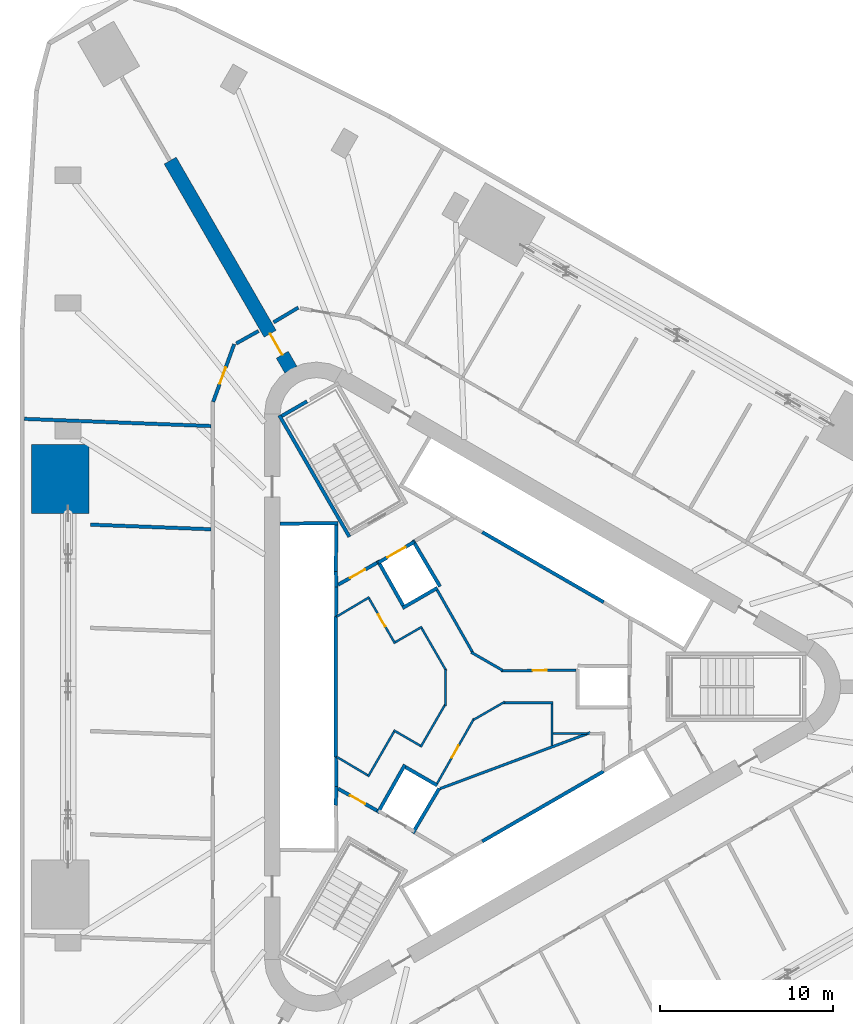
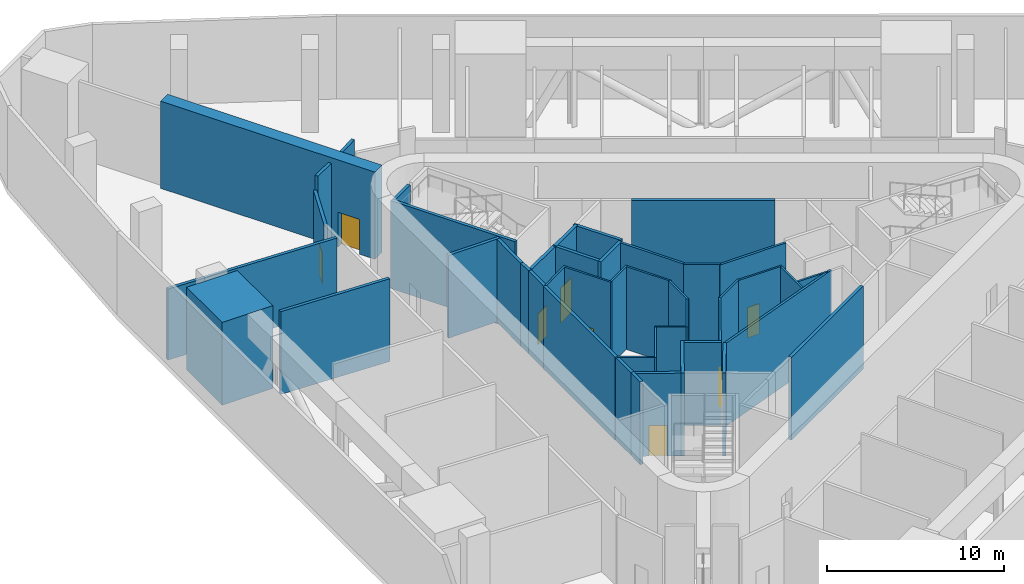
# One storey, part 8 of 14: 45 walls, 8 doors, 8 openings.
"""IFC4 building model written with IfcOpenShell, lengths in metres."""

from ifc_helpers import new_model, si_unit, direction, frame, frame_2d, origin, place, context, subcontext, project, spatial, polyline, rectangle, outline, extrude, material, layer, layer_set, type_object, element, fill, save


model = new_model("IFC4")

# Units and contexts
model_context = context("Model", 3, precision=1e-05, world=origin(), true_north=direction((0.0, 1.0)))
body_context = subcontext(model_context, "Body", "Model", "MODEL_VIEW")
ifc_project = project(units=[si_unit("LENGTHUNIT", "METRE"), si_unit("AREAUNIT", "SQUARE_METRE"), si_unit("VOLUMEUNIT", "CUBIC_METRE"), si_unit("PLANEANGLEUNIT", "RADIAN"), si_unit("MASSUNIT", "GRAM", prefix="KILO")], contexts=[model_context])

# Site, building, storey
site_placement = place(None, origin())
site = spatial("IfcSite", under=ifc_project, at=site_placement, CompositionType="ELEMENT")
building_placement = place(site_placement, origin())
building = spatial("IfcBuilding", under=site, at=building_placement, Name="Tanit Gate Tower", CompositionType="ELEMENT")
storey_placement = place(building_placement, frame((0.0, 0.0, 39.5)))
storey = spatial("IfcBuildingStorey", under=building, at=storey_placement, Name="L06", CompositionType="ELEMENT", Elevation=39.5)

# Wall, opening, door
ifc_material_1 = material(Name="Concrete C60/75", Category="concrete")
ifc_layer_1 = layer(ifc_material_1, 0.800048828125)
ifc_layer_set_1 = layer_set([ifc_layer_1], Name="BUTTRESS FIN 800 C60/75")
wall_type_1 = type_object("IfcWallType", Name="BUTTRESS FIN 800 C60/75", PredefinedType="SHEAR", material=ifc_layer_set_1)
wall_1_placement = place(storey_placement, frame((-10.574951171875, 18.31640625, 0.0), z_axis=(0.0, 0.0, 1.0), x_axis=(-0.499996575515, 0.866027380903, 0.0)))
wall_1 = element("IfcWall", 1, at=wall_1_placement, inside=storey, type_object=wall_type_1, Name="BUTTRESS FIN", PredefinedType="SHEAR", context=body_context, shape_type="SweptSolid", body=[
    extrude(rectangle(XDim=13.9541015625, YDim=0.800048828125, at=frame_2d((6.97705078125, 0.0))), origin(), (0.0, 0.0, 1.0), 6.0),
])
opening_1_placement = place(wall_1_placement, frame((1.0, 0.0, 0.0)))
opening_1 = element("IfcOpeningElement", 2, at=opening_1_placement, cuts=wall_1, Name="Opening P14-06-F-NW-1", PredefinedType="OPENING", context=body_context, shape_type="SweptSolid", body=[
    extrude(rectangle(XDim=1.39990234375, YDim=2.39990234375, at=frame_2d((0.699951171875, 1.199951171875))), frame((0.0, 0.41015625, 0.0), z_axis=(0.0, -1.0, 0.0), x_axis=(1.0, 0.0, 0.0)), (0.0, 0.0, 1.0), 0.820068359375),
])
ifc_material_2 = material(Name="Timber door leaf", Category="wood")
door_type_1 = type_object("IfcDoorType", Name="INT-DOOR-FIN-PAIR-1400", OperationType="NOTDEFINED", PredefinedType="NOTDEFINED", material=ifc_material_2)
door_1_placement = place(opening_1_placement, origin())
door_1 = element("IfcDoor", 3, at=door_1_placement, inside=storey, type_object=door_type_1, Name="Door P14-06-F-NW-1", OperationType="DOUBLE_DOOR_SINGLE_SWING", OverallHeight=2.39990234375, OverallWidth=1.39990234375, PredefinedType="NOTDEFINED", context=body_context, shape_type="SweptSolid", body=[
    extrude(rectangle(XDim=1.39990234375, YDim=2.39990234375, at=frame_2d((0.699951171875, 1.199951171875))), frame((0.0, 0.02490234375, 0.0), z_axis=(0.0, -1.0, 0.0), x_axis=(1.0, 0.0, 0.0)), (0.0, 0.0, 1.0), 0.050048828125),
])
fill(opening_1, door_1)

ifc_material_3 = material(Name="Fire-rated gypsum board partition")
ifc_layer_2 = layer(ifc_material_3, 0.199951171875)
ifc_layer_set_2 = layer_set([ifc_layer_2], Name="INT-WALL-COMPARTMENT")
wall_type_2 = type_object("IfcWallType", Name="INT-WALL-COMPARTMENT", PredefinedType="PARTITIONING", material=ifc_layer_set_2)
wall_2_placement = place(storey_placement, frame((-5.600341796875, 7.16015625, 0.0), z_axis=(0.0, 0.0, 1.0), x_axis=(-0.871363259478, -0.490638431059, 0.0)))
wall_2 = element("IfcWall", 4, at=wall_2_placement, inside=storey, type_object=wall_type_2, Name="Wall Compartment W065", PredefinedType="PARTITIONING", context=body_context, shape_type="SweptSolid", body=[
    extrude(rectangle(XDim=2.5810546875, YDim=0.199951171875, at=frame_2d((1.29052734375, 0.0))), origin(), (0.0, 0.0, 1.0), 5.699951171875),
])
opening_2_placement = place(wall_2_placement, frame((0.79052734375, 0.0, 0.0)))
opening_2 = element("IfcOpeningElement", 5, at=opening_2_placement, cuts=wall_2, Name="Opening F10-06-05", PredefinedType="OPENING", context=body_context, shape_type="SweptSolid", body=[
    extrude(rectangle(XDim=1.0, YDim=2.10009765625, at=frame_2d((0.5, 1.050048828125))), frame((0.0, 0.10986328125, 0.0), z_axis=(0.0, -1.0, 0.0), x_axis=(1.0, 0.0, 0.0)), (0.0, 0.0, 1.0), 0.219970703125),
])
ifc_material_4 = material(Name="Fire-rated steel door leaf", Category="steel")
door_type_2 = type_object("IfcDoorType", Name="INT-DOOR-FIRE-1000", OperationType="NOTDEFINED", PredefinedType="USERDEFINED", material=ifc_material_4)
door_2_placement = place(opening_2_placement, origin())
door_2 = element("IfcDoor", 6, at=door_2_placement, inside=storey, type_object=door_type_2, Name="Door F10-06-05", ObjectType="FIRE DOOR", OperationType="SINGLE_SWING_LEFT", OverallHeight=2.10009765625, OverallWidth=1.0, PredefinedType="USERDEFINED", context=body_context, shape_type="SweptSolid", body=[
    extrude(rectangle(XDim=1.0, YDim=2.10009765625, at=frame_2d((0.5, 1.050048828125))), frame((0.0, 0.02490234375, 0.0), z_axis=(0.0, -1.0, 0.0), x_axis=(1.0, 0.0, 0.0)), (0.0, 0.0, 1.0), 0.050048828125),
])
fill(opening_2, door_2)

wall_3_placement = place(storey_placement, frame((-7.849365234375, -5.893798828125, 0.0), z_axis=(0.0, 0.0, 1.0), x_axis=(0.871363259478, -0.490638431059, 0.0)))
wall_3 = element("IfcWall", 7, at=wall_3_placement, inside=storey, type_object=wall_type_2, Name="Wall Compartment W067", PredefinedType="PARTITIONING", context=body_context, shape_type="SweptSolid", body=[
    extrude(rectangle(XDim=2.5810546875, YDim=0.199951171875, at=frame_2d((1.29052734375, 0.0))), origin(), (0.0, 0.0, 1.0), 5.699951171875),
])
opening_3_placement = place(wall_3_placement, frame((0.79052734375, 0.0, 0.0)))
opening_3 = element("IfcOpeningElement", 8, at=opening_3_placement, cuts=wall_3, Name="Opening F10-06-08", PredefinedType="OPENING", context=body_context, shape_type="SweptSolid", body=[
    extrude(rectangle(XDim=1.0, YDim=2.10009765625, at=frame_2d((0.5, 1.050048828125))), frame((0.0, 0.10986328125, 0.0), z_axis=(0.0, -1.0, 0.0), x_axis=(1.0, 0.0, 0.0)), (0.0, 0.0, 1.0), 0.219970703125),
])
door_3_placement = place(opening_3_placement, origin())
door_3 = element("IfcDoor", 9, at=door_3_placement, inside=storey, type_object=door_type_2, Name="Door F10-06-08", ObjectType="FIRE DOOR", OperationType="SINGLE_SWING_RIGHT", OverallHeight=2.10009765625, OverallWidth=1.0, PredefinedType="USERDEFINED", context=body_context, shape_type="SweptSolid", body=[
    extrude(rectangle(XDim=1.0, YDim=2.10009765625, at=frame_2d((0.5, 1.050048828125))), frame((0.0, 0.02490234375, 0.0), z_axis=(0.0, -1.0, 0.0), x_axis=(1.0, 0.0, 0.0)), (0.0, 0.0, 1.0), 0.050048828125),
])
fill(opening_3, door_3)

wall_4_placement = place(storey_placement, frame((-13.853271484375, 19.795654296875, 0.0), z_axis=(0.0, 0.0, 1.0), x_axis=(-0.342013954414, -0.939694873342, 0.0)))
wall_4 = element("IfcWall", 10, at=wall_4_placement, inside=storey, type_object=wall_type_2, Name="Wall Compartment W089", PredefinedType="PARTITIONING", context=body_context, shape_type="SweptSolid", body=[
    extrude(rectangle(XDim=3.545654296875, YDim=0.199951171875, at=frame_2d((1.77294921875, 0.0))), origin(), (0.0, 0.0, 1.0), 4.780029296875),
])
opening_4_placement = place(wall_4_placement, frame((1.437255859375, 0.0, 0.0)))
opening_4 = element("IfcOpeningElement", 11, at=opening_4_placement, cuts=wall_4, Name="Opening F10-06-15", PredefinedType="OPENING", context=body_context, shape_type="SweptSolid", body=[
    extrude(rectangle(XDim=1.0, YDim=2.10009765625, at=frame_2d((0.5, 1.050048828125))), frame((0.0, 0.10986328125, 0.0), z_axis=(0.0, -1.0, 0.0), x_axis=(1.0, 0.0, 0.0)), (0.0, 0.0, 1.0), 0.219970703125),
])
door_4_placement = place(opening_4_placement, origin())
door_4 = element("IfcDoor", 12, at=door_4_placement, inside=storey, type_object=door_type_2, Name="Door F10-06-15", ObjectType="FIRE DOOR", OperationType="SINGLE_SWING_RIGHT", OverallHeight=2.10009765625, OverallWidth=1.0, PredefinedType="USERDEFINED", context=body_context, shape_type="SweptSolid", body=[
    extrude(rectangle(XDim=1.0, YDim=2.10009765625, at=frame_2d((0.5, 1.050048828125))), frame((0.0, 0.02490234375, 0.0), z_axis=(0.0, -1.0, 0.0), x_axis=(1.0, 0.0, 0.0)), (0.0, 0.0, 1.0), 0.050048828125),
])
fill(opening_4, door_4)

# Walls
wall_5_placement = place(storey_placement, frame((-12.444580078125, 20.5546875, 0.0), z_axis=(0.0, 0.0, 1.0), x_axis=(-0.873030545865, -0.487665526757, 0.0)))
element("IfcWall", 13, at=wall_5_placement, inside=storey, type_object=wall_type_2, Name="Wall Compartment W090", PredefinedType="PARTITIONING", context=body_context, shape_type="SweptSolid", body=[
    extrude(rectangle(XDim=1.474853515625, YDim=0.199951171875, at=frame_2d((0.7373046875, 0.0))), origin(), (0.0, 0.0, 1.0), 5.699951171875),
])
wall_6_placement = place(storey_placement, frame((-25.984375, 15.47705078125, 0.0), z_axis=(0.0, 0.0, 1.0), x_axis=(0.999262877785, -0.038388814516, 0.0)))
element("IfcWall", 14, at=wall_6_placement, inside=storey, type_object=wall_type_2, Name="Wall Compartment W099", PredefinedType="PARTITIONING", context=body_context, shape_type="SweptSolid", body=[
    extrude(rectangle(XDim=10.79248046875, YDim=0.199951171875, at=frame_2d((5.396240234375, 0.0))), origin(), (0.0, 0.0, 1.0), 4.8798828125),
])
wall_7_placement = place(storey_placement, frame((-22.1533203125, 9.364990234375, 0.0), z_axis=(0.0, 0.0, 1.0), x_axis=(0.999263090898, -0.03838326679, 0.0)))
element("IfcWall", 15, at=wall_7_placement, inside=storey, type_object=wall_type_2, Name="Wall Compartment W102", PredefinedType="PARTITIONING", context=body_context, shape_type="SweptSolid", body=[
    extrude(rectangle(XDim=6.95849609375, YDim=0.199951171875, at=frame_2d((3.479248046875, 0.0))), origin(), (0.0, 0.0, 1.0), 5.699951171875),
])
wall_8_placement = place(storey_placement, frame((-10.1484375, 21.90771484375, 0.0), z_axis=(0.0, 0.0, 1.0), x_axis=(-0.858835346978, -0.512251741608, 0.0)))
element("IfcWall", 16, at=wall_8_placement, inside=storey, type_object=wall_type_2, Name="Wall Compartment W109", PredefinedType="PARTITIONING", context=body_context, shape_type="SweptSolid", body=[
    extrude(rectangle(XDim=1.665283203125, YDim=0.199951171875, at=frame_2d((0.83251953125, 0.0))), origin(), (0.0, 0.0, 1.0), 5.699951171875),
])

# Wall, opening, door
ifc_material_5 = material(Name="Gypsum board partition")
ifc_layer_3 = layer(ifc_material_5, 0.1201171875)
ifc_layer_set_3 = layer_set([ifc_layer_3], Name="INT-WALL-PARTITION")
wall_type_3 = type_object("IfcWallType", Name="INT-WALL-PARTITION", PredefinedType="PARTITIONING", material=ifc_layer_set_3)
wall_9_placement = place(storey_placement, frame((0.00732421875, -1.8359375, 0.0), z_axis=(0.0, 0.0, 1.0), x_axis=(-0.494077470797, -0.869417881603, 0.0)))
wall_9 = element("IfcWall", 17, at=wall_9_placement, inside=storey, type_object=wall_type_3, Name="Wall Partition W072", PredefinedType="PARTITIONING", context=body_context, shape_type="SweptSolid", body=[
    extrude(rectangle(XDim=4.313720703125, YDim=0.1201171875, at=frame_2d((2.15673828125, 0.0))), origin(), (0.0, 0.0, 1.0), 5.699951171875),
])
opening_5_placement = place(wall_9_placement, frame((1.80810546875, 0.0, 0.0)))
opening_5 = element("IfcOpeningElement", 18, at=opening_5_placement, cuts=wall_9, Name="Opening R08-06-11", PredefinedType="OPENING", context=body_context, shape_type="SweptSolid", body=[
    extrude(rectangle(XDim=0.800048828125, YDim=2.10009765625, at=frame_2d((0.39990234375, 1.050048828125))), frame((0.0, 0.070068359375, 0.0), z_axis=(0.0, -1.0, 0.0), x_axis=(1.0, 0.0, 0.0)), (0.0, 0.0, 1.0), 0.14013671875),
])
ifc_material_6 = material(Name="Timber door leaf", Category="wood")
door_type_3 = type_object("IfcDoorType", Name="INT-DOOR-RISER-800", OperationType="NOTDEFINED", PredefinedType="USERDEFINED", material=ifc_material_6)
door_5_placement = place(opening_5_placement, origin())
door_5 = element("IfcDoor", 19, at=door_5_placement, inside=storey, type_object=door_type_3, Name="Door R08-06-11", ObjectType="FIRE DOOR", OperationType="SINGLE_SWING_LEFT", OverallHeight=2.10009765625, OverallWidth=0.800048828125, PredefinedType="USERDEFINED", context=body_context, shape_type="SweptSolid", body=[
    extrude(rectangle(XDim=0.800048828125, YDim=2.10009765625, at=frame_2d((0.39990234375, 1.050048828125))), frame((0.0, 0.02490234375, 0.0), z_axis=(0.0, -1.0, 0.0), x_axis=(1.0, 0.0, 0.0)), (0.0, 0.0, 1.0), 0.050048828125),
])
fill(opening_5, door_5)

# Walls
wall_10_placement = place(storey_placement, frame((1.77880859375, -0.873046875, 0.0), z_axis=(0.0, 0.0, 1.0), x_axis=(-0.866029591389, -0.499992746786, 0.0)))
element("IfcWall", 20, at=wall_10_placement, inside=storey, type_object=wall_type_3, Name="Wall Partition W073", PredefinedType="PARTITIONING", context=body_context, shape_type="SweptSolid", body=[
    extrude(rectangle(XDim=2.0849609375, YDim=0.1201171875, at=frame_2d((1.04248046875, 0.0))), origin(), (0.0, 0.0, 1.0), 5.699951171875),
])
wall_11_placement = place(storey_placement, frame((4.56005859375, -0.925048828125, 0.0), z_axis=(0.0, 0.0, 1.0), x_axis=(-1.0, 0.0, 0.0)))
element("IfcWall", 21, at=wall_11_placement, inside=storey, type_object=wall_type_3, Name="Wall Partition W074", PredefinedType="PARTITIONING", context=body_context, shape_type="SweptSolid", body=[
    extrude(rectangle(XDim=2.852783203125, YDim=0.1201171875, at=frame_2d((1.42626953125, 0.0))), origin(), (0.0, 0.0, 1.0), 5.699951171875),
])
wall_12_placement = place(storey_placement, frame((4.5, -3.402099609375, 0.0), z_axis=(0.0, 0.0, 1.0), x_axis=(0.0, 1.0, 0.0)))
element("IfcWall", 22, at=wall_12_placement, inside=storey, type_object=wall_type_3, Name="Wall Partition W075", PredefinedType="PARTITIONING", context=body_context, shape_type="SweptSolid", body=[
    extrude(rectangle(XDim=2.4169921875, YDim=0.1201171875, at=frame_2d((1.20849609375, 0.0))), origin(), (0.0, 0.0, 1.0), 5.699951171875),
])
wall_13_placement = place(storey_placement, frame((6.521240234375, -2.699951171875, 0.0), z_axis=(0.0, 0.0, 1.0), x_axis=(-1.0, 0.0, 0.0)))
element("IfcWall", 23, at=wall_13_placement, inside=storey, type_object=wall_type_3, Name="Wall Partition W076", PredefinedType="PARTITIONING", context=body_context, shape_type="SweptSolid", body=[
    extrude(rectangle(XDim=1.961181640625, YDim=0.1201171875, at=frame_2d((0.98046875, 0.0))), origin(), (0.0, 0.0, 1.0), 5.699951171875),
])
wall_14_placement = place(storey_placement, frame((-6.03662109375, 5.17578125, 0.0), z_axis=(0.0, 0.0, 1.0), x_axis=(-0.860106072674, -0.510115225953, 0.0)))
element("IfcWall", 24, at=wall_14_placement, inside=storey, type_object=wall_type_3, Name="Wall Partition W079", PredefinedType="PARTITIONING", context=body_context, shape_type="SweptSolid", body=[
    extrude(rectangle(XDim=2.224609375, YDim=0.1201171875, at=frame_2d((1.1123046875, 0.0))), origin(), (0.0, 0.0, 1.0), 5.699951171875),
])

# Wall, opening, door
wall_15_placement = place(storey_placement, frame((-4.558349609375, 2.4951171875, 0.0), z_axis=(0.0, 0.0, 1.0), x_axis=(-0.499990139034, 0.866031096941, 0.0)))
wall_15 = element("IfcWall", 25, at=wall_15_placement, inside=storey, type_object=wall_type_3, Name="Wall Partition W080", PredefinedType="PARTITIONING", context=body_context, shape_type="SweptSolid", body=[
    extrude(rectangle(XDim=3.0, YDim=0.1201171875, at=frame_2d((1.5, 0.0))), origin(), (0.0, 0.0, 1.0), 5.699951171875),
])
opening_6_placement = place(wall_15_placement, frame((1.1298828125, 0.0, 0.0)))
opening_6 = element("IfcOpeningElement", 26, at=opening_6_placement, cuts=wall_15, Name="Opening R08-06-13", PredefinedType="OPENING", context=body_context, shape_type="SweptSolid", body=[
    extrude(rectangle(XDim=0.800048828125, YDim=2.10009765625, at=frame_2d((0.39990234375, 1.050048828125))), frame((0.0, 0.070068359375, 0.0), z_axis=(0.0, -1.0, 0.0), x_axis=(1.0, 0.0, 0.0)), (0.0, 0.0, 1.0), 0.14013671875),
])
door_6_placement = place(opening_6_placement, origin())
door_6 = element("IfcDoor", 27, at=door_6_placement, inside=storey, type_object=door_type_3, Name="Door R08-06-13", ObjectType="FIRE DOOR", OperationType="SINGLE_SWING_RIGHT", OverallHeight=2.10009765625, OverallWidth=0.800048828125, PredefinedType="USERDEFINED", context=body_context, shape_type="SweptSolid", body=[
    extrude(rectangle(XDim=0.800048828125, YDim=2.10009765625, at=frame_2d((0.39990234375, 1.050048828125))), frame((0.0, 0.02490234375, 0.0), z_axis=(0.0, -1.0, 0.0), x_axis=(1.0, 0.0, 0.0)), (0.0, 0.0, 1.0), 0.050048828125),
])
fill(opening_6, door_6)

# Walls
wall_16_placement = place(storey_placement, frame((-2.9990234375, 3.464599609375, 0.0), z_axis=(0.0, 0.0, 1.0), x_axis=(-0.866059624469, -0.499940723351, 0.0)))
element("IfcWall", 28, at=wall_16_placement, inside=storey, type_object=wall_type_3, Name="Wall Partition W081", PredefinedType="PARTITIONING", context=body_context, shape_type="SweptSolid", body=[
    extrude(rectangle(XDim=1.775146484375, YDim=0.1201171875, at=frame_2d((0.8876953125, 0.0))), origin(), (0.0, 0.0, 1.0), 5.699951171875),
])
wall_17_placement = place(storey_placement, frame((-1.593505859375, 0.909912109375, 0.0), z_axis=(0.0, 0.0, 1.0), x_axis=(-0.49997412077, 0.866040344649, 0.0)))
element("IfcWall", 29, at=wall_17_placement, inside=storey, type_object=wall_type_3, Name="Wall Partition W082", PredefinedType="PARTITIONING", context=body_context, shape_type="SweptSolid", body=[
    extrude(rectangle(XDim=2.855224609375, YDim=0.1201171875, at=frame_2d((1.427734375, 0.0))), origin(), (0.0, 0.0, 1.0), 5.699951171875),
])
wall_18_placement = place(storey_placement, frame((-1.6455078125, -1.10400390625, 0.0), z_axis=(0.0, 0.0, 1.0), x_axis=(0.0, 1.0, 0.0)))
element("IfcWall", 30, at=wall_18_placement, inside=storey, type_object=wall_type_3, Name="Wall Partition W083", PredefinedType="PARTITIONING", context=body_context, shape_type="SweptSolid", body=[
    extrude(rectangle(XDim=2.08544921875, YDim=0.1201171875, at=frame_2d((1.042724609375, 0.0))), origin(), (0.0, 0.0, 1.0), 5.699951171875),
])
wall_19_placement = place(storey_placement, frame((-3.0810546875, -3.486572265625, 0.0), z_axis=(0.0, 0.0, 1.0), x_axis=(0.499986688891, 0.86603308882, 0.0)))
element("IfcWall", 31, at=wall_19_placement, inside=storey, type_object=wall_type_3, Name="Wall Partition W084", PredefinedType="PARTITIONING", context=body_context, shape_type="SweptSolid", body=[
    extrude(rectangle(XDim=2.8525390625, YDim=0.1201171875, at=frame_2d((1.42626953125, 0.0))), origin(), (0.0, 0.0, 1.0), 5.699951171875),
])
wall_20_placement = place(storey_placement, frame((-4.64013671875, -2.51708984375, 0.0), z_axis=(0.0, 0.0, 1.0), x_axis=(0.866025242659, -0.500000279077, 0.0)))
element("IfcWall", 32, at=wall_20_placement, inside=storey, type_object=wall_type_3, Name="Wall Partition W085", PredefinedType="PARTITIONING", context=body_context, shape_type="SweptSolid", body=[
    extrude(rectangle(XDim=1.77490234375, YDim=0.1201171875, at=frame_2d((0.887451171875, 0.0))), origin(), (0.0, 0.0, 1.0), 5.699951171875),
])
wall_21_placement = place(storey_placement, frame((-6.1181640625, -5.197265625, 0.0), z_axis=(0.0, 0.0, 1.0), x_axis=(0.499990139034, 0.866031096941, 0.0)))
element("IfcWall", 33, at=wall_21_placement, inside=storey, type_object=wall_type_3, Name="Wall Partition W086", PredefinedType="PARTITIONING", context=body_context, shape_type="SweptSolid", body=[
    extrude(rectangle(XDim=3.0, YDim=0.1201171875, at=frame_2d((1.5, 0.0))), origin(), (0.0, 0.0, 1.0), 5.699951171875),
])
wall_22_placement = place(storey_placement, frame((-7.949951171875, -4.041015625, 0.0), z_axis=(0.0, 0.0, 1.0), x_axis=(0.860112457103, -0.510104461004, 0.0)))
element("IfcWall", 34, at=wall_22_placement, inside=storey, type_object=wall_type_3, Name="Wall Partition W087", PredefinedType="PARTITIONING", context=body_context, shape_type="SweptSolid", body=[
    extrude(rectangle(XDim=2.1044921875, YDim=0.1201171875, at=frame_2d((1.05224609375, 0.0))), origin(), (0.0, 0.0, 1.0), 5.699951171875),
])

# Wall, opening, door
ifc_material_7 = material(Name="Fire-rated gypsum board partition")
ifc_layer_4 = layer(ifc_material_7, 0.14990234375)
ifc_layer_set_4 = layer_set([ifc_layer_4], Name="INT-WALL-RISER")
wall_type_4 = type_object("IfcWallType", Name="INT-WALL-RISER", PredefinedType="PLUMBINGWALL", material=ifc_layer_set_4)
wall_23_placement = place(storey_placement, frame((1.560791015625, 0.924072265625, 0.0), z_axis=(0.0, 0.0, 1.0), x_axis=(0.999976441218, 0.006864183077, 0.0)))
wall_23 = element("IfcWall", 35, at=wall_23_placement, inside=storey, type_object=wall_type_4, Name="Wall Riser W068", PredefinedType="PLUMBINGWALL", context=body_context, shape_type="SweptSolid", body=[
    extrude(rectangle(XDim=4.339111328125, YDim=0.14990234375, at=frame_2d((2.16943359375, 0.0))), origin(), (0.0, 0.0, 1.0), 5.699951171875),
])
opening_7_placement = place(wall_23_placement, frame((1.83349609375, 0.0, 0.0)))
opening_7 = element("IfcOpeningElement", 36, at=opening_7_placement, cuts=wall_23, Name="Opening R08-06-10", PredefinedType="OPENING", context=body_context, shape_type="SweptSolid", body=[
    extrude(rectangle(XDim=0.800048828125, YDim=2.10009765625, at=frame_2d((0.39990234375, 1.050048828125))), frame((0.0, 0.0849609375, 0.0), z_axis=(0.0, -1.0, 0.0), x_axis=(1.0, 0.0, 0.0)), (0.0, 0.0, 1.0), 0.169921875),
])
door_7_placement = place(opening_7_placement, origin())
door_7 = element("IfcDoor", 37, at=door_7_placement, inside=storey, type_object=door_type_3, Name="Door R08-06-10", ObjectType="FIRE DOOR", OperationType="SINGLE_SWING_LEFT", OverallHeight=2.10009765625, OverallWidth=0.800048828125, PredefinedType="USERDEFINED", context=body_context, shape_type="SweptSolid", body=[
    extrude(rectangle(XDim=0.800048828125, YDim=2.10009765625, at=frame_2d((0.39990234375, 1.050048828125))), frame((0.0, 0.02490234375, 0.0), z_axis=(0.0, -1.0, 0.0), x_axis=(1.0, 0.0, 0.0)), (0.0, 0.0, 1.0), 0.050048828125),
])
fill(opening_7, door_7)

# Walls
wall_24_placement = place(storey_placement, frame((-0.154052734375, 1.989013671875, 0.0), z_axis=(0.0, 0.0, 1.0), x_axis=(0.865992365033, -0.50005722043, 0.0)))
element("IfcWall", 38, at=wall_24_placement, inside=storey, type_object=wall_type_4, Name="Wall Riser W069", PredefinedType="PLUMBINGWALL", context=body_context, shape_type="SweptSolid", body=[
    extrude(rectangle(XDim=2.104248046875, YDim=0.14990234375, at=frame_2d((1.05224609375, 0.0))), origin(), (0.0, 0.0, 1.0), 5.699951171875),
])
wall_25_placement = place(storey_placement, frame((-2.1240234375, 5.58642578125, 0.0), z_axis=(0.0, 0.0, 1.0), x_axis=(0.494084527552, -0.869413871314, 0.0)))
element("IfcWall", 39, at=wall_25_placement, inside=storey, type_object=wall_type_4, Name="Wall Riser W070", PredefinedType="PLUMBINGWALL", context=body_context, shape_type="SweptSolid", body=[
    extrude(rectangle(XDim=4.187744140625, YDim=0.14990234375, at=frame_2d((2.09375, 0.0))), origin(), (0.0, 0.0, 1.0), 5.699951171875),
])
wall_26_placement = place(storey_placement, frame((6.729248046875, -2.650390625, 0.0), z_axis=(0.0, 0.0, 1.0), x_axis=(-0.936914282609, -0.349559189613, 0.0)))
element("IfcWall", 40, at=wall_26_placement, inside=storey, type_object=wall_type_4, Name="Wall Riser W071", PredefinedType="PLUMBINGWALL", context=body_context, shape_type="SweptSolid", body=[
    extrude(rectangle(XDim=9.29052734375, YDim=0.14990234375, at=frame_2d((4.645263671875, 0.0))), origin(), (0.0, 0.0, 1.0), 5.699951171875),
])
ifc_material_8 = material(Name="Gypsum shaft wall system")
ifc_layer_5 = layer(ifc_material_8, 0.199951171875)
ifc_layer_set_5 = layer_set([ifc_layer_5], Name="INT-WALL-SHAFT")
wall_type_5 = type_object("IfcWallType", Name="INT-WALL-SHAFT", PredefinedType="PLUMBINGWALL", material=ifc_layer_set_5)
wall_27_placement = place(storey_placement, frame((-11.199951171875, 9.419921875, 0.0), z_axis=(0.0, 0.0, 1.0), x_axis=(0.999957167047, 0.009255488683, 0.0)))
element("IfcWall", 41, at=wall_27_placement, inside=storey, type_object=wall_type_5, Name="Wall Shaft W001", PredefinedType="PLUMBINGWALL", context=body_context, shape_type="SweptSolid", body=[
    extrude(rectangle(XDim=3.35009765625, YDim=0.199951171875, at=frame_2d((1.675048828125, 0.0))), origin(), (0.0, 0.0, 1.0), 5.699951171875),
])
wall_28_placement = place(storey_placement, frame((-7.951171875, 9.35009765625, 0.0), z_axis=(0.0, 0.0, 1.0), x_axis=(-0.011120469654, -0.999938165666, 0.0)))
element("IfcWall", 42, at=wall_28_placement, inside=storey, type_object=wall_type_5, Name="Wall Shaft W002", PredefinedType="PLUMBINGWALL", context=body_context, shape_type="SweptSolid", body=[
    extrude(rectangle(XDim=2.700439453125, YDim=0.199951171875, at=frame_2d((1.35009765625, 0.0))), origin(), (0.0, 0.0, 1.0), 5.699951171875),
])
wall_29_placement = place(storey_placement, frame((7.497314453125, 4.885986328125, 0.0), z_axis=(0.0, 0.0, 1.0), x_axis=(-0.866030989016, 0.499990325971, 0.0)))
element("IfcWall", 43, at=wall_29_placement, inside=storey, type_object=wall_type_5, Name="Wall Shaft W003", PredefinedType="PLUMBINGWALL", context=body_context, shape_type="SweptSolid", body=[
    extrude(rectangle(XDim=8.099853515625, YDim=0.199951171875, at=frame_2d((4.0498046875, 0.0))), origin(), (0.0, 0.0, 1.0), 5.699951171875),
])
wall_30_placement = place(storey_placement, frame((-7.97705078125, 6.650146484375, 0.0), z_axis=(0.0, 0.0, 1.0), x_axis=(0.030861509705, -0.999523670164, 0.0)))
element("IfcWall", 44, at=wall_30_placement, inside=storey, type_object=wall_type_5, Name="Wall Shaft W004", PredefinedType="PLUMBINGWALL", context=body_context, shape_type="SweptSolid", body=[
    extrude(rectangle(XDim=0.878173828125, YDim=0.199951171875, at=frame_2d((0.43896484375, 0.0))), origin(), (0.0, 0.0, 1.0), 5.699951171875),
])
wall_31_placement = place(storey_placement, frame((-7.94921875, 5.894775390625, 0.0), z_axis=(0.0, 0.0, 1.0), x_axis=(-0.012042535896, -0.999927486035, 0.0)))
element("IfcWall", 45, at=wall_31_placement, inside=storey, type_object=wall_type_5, Name="Wall Shaft W005", PredefinedType="PLUMBINGWALL", context=body_context, shape_type="SweptSolid", body=[
    extrude(rectangle(XDim=1.844970703125, YDim=0.199951171875, at=frame_2d((0.92236328125, 0.0))), origin(), (0.0, 0.0, 1.0), 5.699951171875),
])
wall_32_placement = place(storey_placement, frame((-7.97998046875, 4.050048828125, 0.0), z_axis=(0.0, 0.0, 1.0), x_axis=(0.0, -1.0, 0.0)))
element("IfcWall", 46, at=wall_32_placement, inside=storey, type_object=wall_type_5, Name="Wall Shaft W006", PredefinedType="PLUMBINGWALL", context=body_context, shape_type="SweptSolid", body=[
    extrude(rectangle(XDim=8.10009765625, YDim=0.199951171875, at=frame_2d((4.050048828125, 0.0))), origin(), (0.0, 0.0, 1.0), 5.699951171875),
])
wall_33_placement = place(storey_placement, frame((-7.949951171875, -5.7724609375, 0.0), z_axis=(0.0, 0.0, 1.0), x_axis=(-0.030803413295, -0.999525462272, 0.0)))
element("IfcWall", 47, at=wall_33_placement, inside=storey, type_object=wall_type_5, Name="Wall Shaft W009", PredefinedType="PLUMBINGWALL", context=body_context, shape_type="SweptSolid", body=[
    extrude(rectangle(XDim=1.077880859375, YDim=0.199951171875, at=frame_2d((0.5390625, 0.0))), origin(), (0.0, 0.0, 1.0), 5.699951171875),
])
wall_34_placement = place(storey_placement, frame((-7.971435546875, -4.050048828125, 0.0), z_axis=(0.0, 0.0, 1.0), x_axis=(0.012042535896, -0.999927486035, 0.0)))
element("IfcWall", 48, at=wall_34_placement, inside=storey, type_object=wall_type_5, Name="Wall Shaft W010", PredefinedType="PLUMBINGWALL", context=body_context, shape_type="SweptSolid", body=[
    extrude(rectangle(XDim=1.844970703125, YDim=0.199951171875, at=frame_2d((0.92236328125, 0.0))), origin(), (0.0, 0.0, 1.0), 5.699951171875),
])
wall_35_placement = place(storey_placement, frame((0.482666015625, -8.935791015625, 0.0), z_axis=(0.0, 0.0, 1.0), x_axis=(0.866030989016, 0.499990325971, 0.0)))
element("IfcWall", 49, at=wall_35_placement, inside=storey, type_object=wall_type_5, Name="Wall Shaft W031", PredefinedType="PLUMBINGWALL", context=body_context, shape_type="SweptSolid", body=[
    extrude(rectangle(XDim=8.099853515625, YDim=0.199951171875, at=frame_2d((4.0498046875, 0.0))), origin(), (0.0, 0.0, 1.0), 5.699951171875),
])

# Wall, opening, door
wall_36_placement = place(storey_placement, frame((-5.524169921875, 7.168212890625, 0.0), z_axis=(0.0, 0.0, 1.0), x_axis=(0.866024647952, 0.500001309137, 0.0)))
wall_36 = element("IfcWall", 50, at=wall_36_placement, inside=storey, type_object=wall_type_5, Name="Wall Shaft W047", PredefinedType="PLUMBINGWALL", context=body_context, shape_type="SweptSolid", body=[
    extrude(rectangle(XDim=2.39990234375, YDim=0.199951171875, at=frame_2d((1.199951171875, 0.0))), origin(), (0.0, 0.0, 1.0), 5.699951171875),
])
opening_8_placement = place(wall_36_placement, frame((0.60009765625, 0.0, 0.0)))
opening_8 = element("IfcOpeningElement", 51, at=opening_8_placement, cuts=wall_36, Name="Opening LDFL2-L06", PredefinedType="OPENING", context=body_context, shape_type="SweptSolid", body=[
    extrude(rectangle(XDim=1.199951171875, YDim=2.39990234375, at=frame_2d((0.60009765625, 1.199951171875))), frame((0.0, 0.10986328125, 0.0), z_axis=(0.0, -1.0, 0.0), x_axis=(1.0, 0.0, 0.0)), (0.0, 0.0, 1.0), 0.219970703125),
])
ifc_material_9 = material(Name="Stainless steel sliding door leaf", Category="steel")
door_type_4 = type_object("IfcDoorType", Name="INT-DOOR-LANDING-1200", OperationType="NOTDEFINED", PredefinedType="USERDEFINED", material=ifc_material_9)
door_8_placement = place(opening_8_placement, origin())
door_8 = element("IfcDoor", 52, at=door_8_placement, inside=storey, type_object=door_type_4, Name="Door LDFL2-L06", ObjectType="LANDING DOOR", OperationType="SLIDING_TO_LEFT", OverallHeight=2.39990234375, OverallWidth=1.199951171875, PredefinedType="USERDEFINED", context=body_context, shape_type="SweptSolid", body=[
    extrude(rectangle(XDim=1.199951171875, YDim=2.39990234375, at=frame_2d((0.60009765625, 1.199951171875))), frame((0.0, 0.02490234375, 0.0), z_axis=(0.0, -1.0, 0.0), x_axis=(1.0, 0.0, 0.0)), (0.0, 0.0, 1.0), 0.050048828125),
])
fill(opening_8, door_8)

# Walls
wall_37_placement = place(storey_placement, frame((-3.53759765625, 8.46533203125, 0.0), z_axis=(0.0, 0.0, 1.0), x_axis=(0.508647062354, -0.860975125052, 0.0)))
element("IfcWall", 53, at=wall_37_placement, inside=storey, type_object=wall_type_5, Name="Wall Shaft W048", PredefinedType="PLUMBINGWALL", context=body_context, shape_type="SweptSolid", body=[
    extrude(rectangle(XDim=3.10009765625, YDim=0.199951171875, at=frame_2d((1.550048828125, 0.0))), origin(), (0.0, 0.0, 1.0), 5.699951171875),
])
wall_38_placement = place(storey_placement, frame((-2.1083984375, 5.7109375, 0.0), z_axis=(0.0, 0.0, 1.0), x_axis=(-0.866009305107, -0.50002788269, 0.0)))
element("IfcWall", 54, at=wall_38_placement, inside=storey, type_object=wall_type_5, Name="Wall Shaft W049", PredefinedType="PLUMBINGWALL", context=body_context, shape_type="SweptSolid", body=[
    extrude(rectangle(XDim=2.329345703125, YDim=0.199951171875, at=frame_2d((1.16455078125, 0.0))), origin(), (0.0, 0.0, 1.0), 5.699951171875),
])
wall_39_placement = place(storey_placement, frame((-5.5625, 7.29638671875, 0.0), z_axis=(0.0, 0.0, 1.0), x_axis=(0.49134651263, -0.870964180966, 0.0)))
element("IfcWall", 55, at=wall_39_placement, inside=storey, type_object=wall_type_5, Name="Wall Shaft W050", PredefinedType="PLUMBINGWALL", context=body_context, shape_type="SweptSolid", body=[
    extrude(rectangle(XDim=3.000244140625, YDim=0.199951171875, at=frame_2d((1.5, 0.0))), origin(), (0.0, 0.0, 1.0), 5.699951171875),
])
wall_40_placement = place(storey_placement, frame((-2.00830078125, -5.87841796875, 0.0), z_axis=(0.0, 0.0, 1.0), x_axis=(-0.508893526607, -0.860829471253, 0.0)))
element("IfcWall", 56, at=wall_40_placement, inside=storey, type_object=wall_type_5, Name="Wall Shaft W057", PredefinedType="PLUMBINGWALL", context=body_context, shape_type="SweptSolid", body=[
    extrude(rectangle(XDim=3.005126953125, YDim=0.199951171875, at=frame_2d((1.50244140625, 0.0))), origin(), (0.0, 0.0, 1.0), 5.699951171875),
])
wall_41_placement = place(storey_placement, frame((-3.989990234375, -4.509033203125, 0.0), z_axis=(0.0, 0.0, 1.0), x_axis=(-0.491358283181, -0.870957540612, 0.0)))
element("IfcWall", 57, at=wall_41_placement, inside=storey, type_object=wall_type_5, Name="Wall Shaft W058", PredefinedType="PLUMBINGWALL", context=body_context, shape_type="SweptSolid", body=[
    extrude(rectangle(XDim=3.200439453125, YDim=0.199951171875, at=frame_2d((1.60009765625, 0.0))), origin(), (0.0, 0.0, 1.0), 5.699951171875),
])
wall_42_placement = place(storey_placement, frame((-3.95263671875, -4.646240234375, 0.0), z_axis=(0.0, 0.0, 1.0), x_axis=(0.866060616833, -0.499939004251, 0.0)))
element("IfcWall", 58, at=wall_42_placement, inside=storey, type_object=wall_type_5, Name="Wall Shaft W059", PredefinedType="PLUMBINGWALL", context=body_context, shape_type="SweptSolid", body=[
    extrude(rectangle(XDim=2.114501953125, YDim=0.199951171875, at=frame_2d((1.05712890625, 0.0))), origin(), (0.0, 0.0, 1.0), 5.699951171875),
])
ifc_material_10 = material(Name="Concrete C40/50", Category="concrete")
ifc_layer_6 = layer(ifc_material_10, 0.199951171875)
ifc_layer_set_6 = layer_set([ifc_layer_6], Name="INT-WALL-STAIR")
wall_type_6 = type_object("IfcWallType", Name="INT-WALL-STAIR", PredefinedType="SHEAR", material=ifc_layer_set_6)
wall_43_placement = place(storey_placement, frame((-11.245361328125, 15.677734375, -0.35009765625), z_axis=(0.0, 0.0, 1.0), x_axis=(0.499977274689, -0.866038523851, 0.0)))
element("IfcWall", 59, at=wall_43_placement, inside=storey, type_object=wall_type_6, Name="Wall Stair W042", PredefinedType="SHEAR", context=body_context, shape_type="SweptSolid", body=[
    extrude(rectangle(XDim=8.10009765625, YDim=0.199951171875, at=frame_2d((4.050048828125, 0.0))), origin(), (0.0, 0.0, 1.0), 6.050048828125),
])
wall_44_placement = place(storey_placement, frame((-9.645263671875, 16.486083984375, -0.35009765625), z_axis=(0.0, 0.0, 1.0), x_axis=(-0.866038843867, -0.499976720371, 0.0)))
element("IfcWall", 60, at=wall_44_placement, inside=storey, type_object=wall_type_6, Name="Wall Stair W043", PredefinedType="SHEAR", context=body_context, shape_type="SweptSolid", body=[
    extrude(rectangle(XDim=1.68994140625, YDim=0.199951171875, at=frame_2d((0.844970703125, 0.0))), origin(), (0.0, 0.0, 1.0), 6.050048828125),
])
ifc_material_11 = material(Name="Concrete C60/75", Category="concrete")
ifc_layer_7 = layer(ifc_material_11, 4.0)
ifc_layer_set_7 = layer_set([ifc_layer_7], Name="PIER WALL 4000 C60/75")
wall_type_7 = type_object("IfcWallType", Name="PIER WALL 4000 C60/75", PredefinedType="SHEAR", material=ifc_layer_set_7)
wall_45_placement = place(storey_placement, origin())
element("IfcWall", 61, at=wall_45_placement, inside=storey, type_object=wall_type_7, Name="PIER WALL", PredefinedType="SHEAR", context=body_context, shape_type="SweptSolid", body=[
    extrude(outline(polyline([(-25.553466796875, 14.0), (-25.553466796875, 10.0), (-22.25341796875, 10.0), (-22.25341796875, 14.0), (-25.553466796875, 14.0)])), origin(), (0.0, 0.0, 1.0), 5.699951171875),
])

save(model, "model.ifc")
